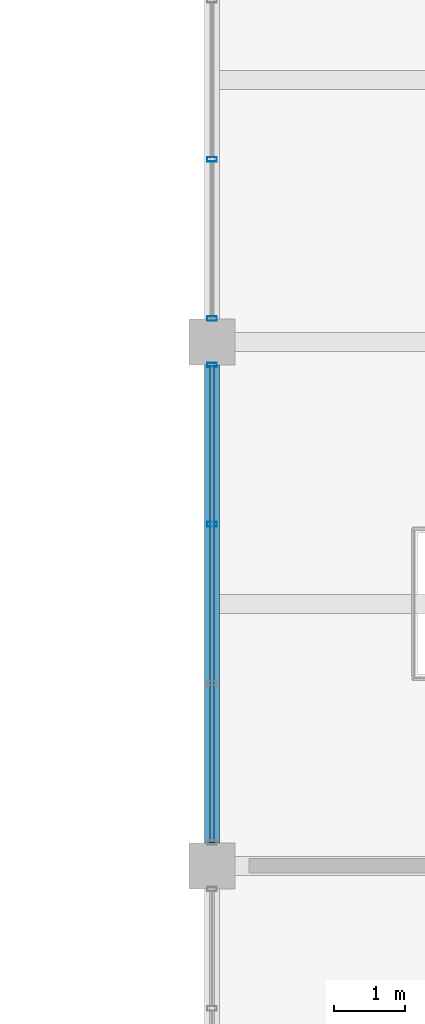
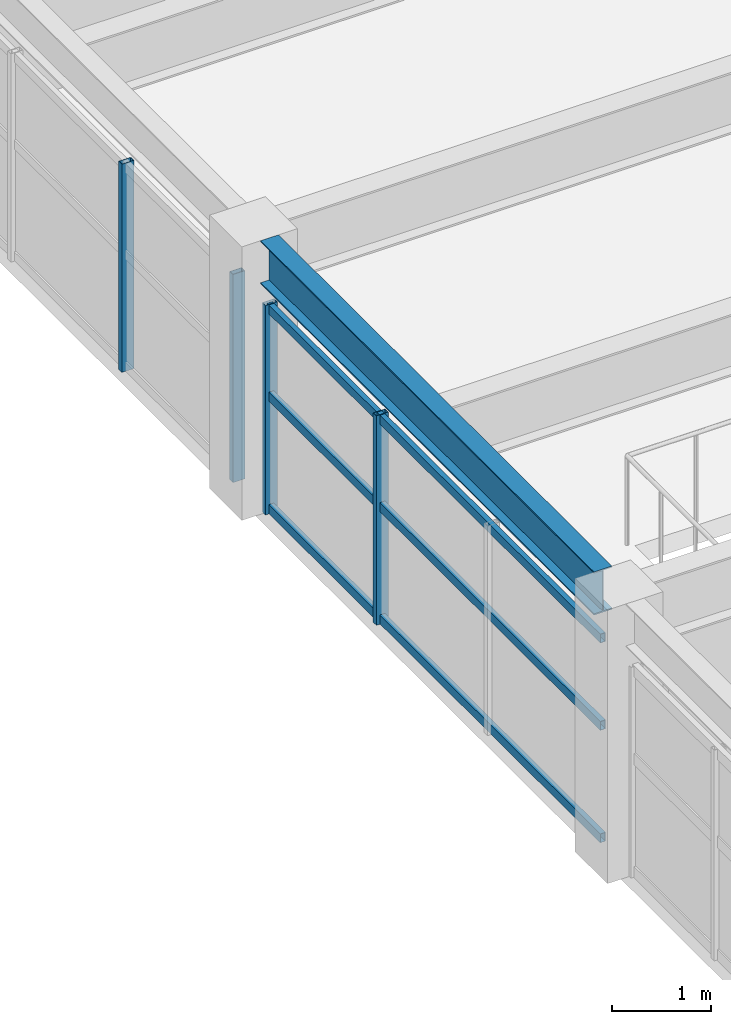
# One storey, part 48 of 93: 7 members, 1 beam, 2 elements without a shape of their own.
"""IFC4 building model written with IfcOpenShell, lengths in metres."""

from ifc_helpers import new_model, si_unit, direction, frame, origin, origin_2d, place, context, subcontext, project, spatial, hollow_rectangle, i_section, extrude, material, material_profile, profile_set, type_object, element, aggregate, save


model = new_model("IFC4")

# Units and contexts
model_context = context("Model", 3, precision=1e-05, world=origin(), true_north=direction((0.0, 1.0)))
body_context = subcontext(model_context, "Body", "Model", "MODEL_VIEW")
ifc_project = project(units=[si_unit("LENGTHUNIT", "METRE"), si_unit("AREAUNIT", "SQUARE_METRE"), si_unit("VOLUMEUNIT", "CUBIC_METRE"), si_unit("PLANEANGLEUNIT", "RADIAN"), si_unit("MASSUNIT", "GRAM", prefix="KILO")], contexts=[model_context])

# Site, building, storey
site_placement = place(None, origin())
site = spatial("IfcSite", under=ifc_project, at=site_placement, CompositionType="ELEMENT")
building_placement = place(site_placement, origin())
building = spatial("IfcBuilding", under=site, at=building_placement, Name="Cimatlan Art Gallery", CompositionType="ELEMENT")
storey_placement = place(building_placement, frame((0.0, 0.0, 13.800048828125)))
storey = spatial("IfcBuildingStorey", under=building, at=storey_placement, Name="L03", CompositionType="ELEMENT", Elevation=13.800048828125)

# Beam
ifc_material_1 = material(Name="Steel ASTM A992 Grade 50", Category="steel")
ifc_material_profile_1 = material_profile(ifc_material_1, i_section(OverallWidth=0.2099609375, OverallDepth=0.532958984375, WebThickness=0.01025390625, FlangeThickness=0.015625, at=origin_2d()), Name="W21X62")
ifc_profile_set_1 = profile_set([ifc_material_profile_1], Name="Steel ASTM A992 Grade 50")
beam_type = type_object("IfcBeamType", Name="BM-STL-W21X62", PredefinedType="BEAM", material=ifc_profile_set_1)
beam_placement = place(storey_placement, frame((74.89990234375, 76.02490234375, 3.113525390625), z_axis=(0.0, 1.0, 0.0), x_axis=(-1.0, 0.0, 0.0)))
element("IfcBeam", 1, at=beam_placement, inside=storey, type_object=beam_type, Name="BM-Y-L03-09-10", PredefinedType="BEAM", context=body_context, shape_type="SweptSolid", body=[
    extrude(i_section(OverallWidth=0.2099609375, OverallDepth=0.532958984375, WebThickness=0.01025390625, FlangeThickness=0.015625, at=origin_2d()), origin(), (0.0, 0.0, 1.0), 6.75),
])

# Curtain wall, members
ifc_material_2 = material(Name="Anodised bronze unitised curtain wall")
curtain_wall_type_1 = type_object("IfcCurtainWallType", Name="CW-V-06742X02588-B3", PredefinedType="NOTDEFINED", material=ifc_material_2)
curtain_wall_1_placement = place(storey_placement, origin())
curtain_wall_1 = element("IfcCurtainWall", 2, at=curtain_wall_1_placement, inside=storey, type_object=curtain_wall_type_1, Name="CW-L03-09-10-W", PredefinedType="NOTDEFINED")
ifc_material_3 = material(Name="Anodised bronze aluminium 6063-T6", Category="aluminium")
ifc_material_profile_2 = material_profile(ifc_material_3, hollow_rectangle(XDim=0.06494140625, YDim=0.139892578125, WallThickness=0.00390625, at=origin_2d()), Name="ALU65X140X4")
ifc_profile_set_2 = profile_set([ifc_material_profile_2], Name="Anodised bronze aluminium 6063-T6")
member_type_1 = type_object("IfcMemberType", Name="CW-MUL-140", PredefinedType="MULLION", material=ifc_profile_set_2)
member_1_placement = place(storey_placement, frame((74.89990234375, 80.523681640625, 0.0), z_axis=(0.0, 0.0, 1.0), x_axis=(0.0, 1.0, 0.0)))
member_1 = element("IfcMember", 3, at=member_1_placement, type_object=member_type_1, Name="CW-L03-09-10-W-M3", PredefinedType="MULLION", context=body_context, shape_type="SweptSolid", body=[
    extrude(hollow_rectangle(XDim=0.06494140625, YDim=0.139892578125, WallThickness=0.00390625, at=origin_2d()), origin(), (0.0, 0.0, 1.0), 2.587890625),
])
member_2_placement = place(storey_placement, frame((74.89990234375, 82.77099609375, 0.0), z_axis=(0.0, 0.0, 1.0), x_axis=(0.0, 1.0, 0.0)))
member_2 = element("IfcMember", 4, at=member_2_placement, type_object=member_type_1, Name="CW-L03-09-10-W-M4", PredefinedType="MULLION", context=body_context, shape_type="SweptSolid", body=[
    extrude(hollow_rectangle(XDim=0.06494140625, YDim=0.139892578125, WallThickness=0.00390625, at=origin_2d()), origin(), (0.0, 0.0, 1.0), 2.587890625),
])

curtain_wall_type_2 = type_object("IfcCurtainWallType", Name="CW-V-06742X02573-B3", PredefinedType="NOTDEFINED", material=ifc_material_2)
curtain_wall_2_placement = place(storey_placement, origin())
curtain_wall_2 = element("IfcCurtainWall", 5, at=curtain_wall_2_placement, inside=storey, type_object=curtain_wall_type_2, Name="CW-L03-09-11-W", PredefinedType="NOTDEFINED")
member_3_placement = place(storey_placement, frame((74.89990234375, 83.428955078125, 0.0), z_axis=(0.0, 0.0, 1.0), x_axis=(0.0, 1.0, 0.0)))
member_3 = element("IfcMember", 6, at=member_3_placement, type_object=member_type_1, Name="CW-L03-09-11-W-M1", PredefinedType="MULLION", context=body_context, shape_type="SweptSolid", body=[
    extrude(hollow_rectangle(XDim=0.06494140625, YDim=0.139892578125, WallThickness=0.00390625, at=origin_2d()), origin(), (0.0, 0.0, 1.0), 2.572998046875),
])
member_4_placement = place(storey_placement, frame((74.89990234375, 85.67626953125, 0.0), z_axis=(0.0, 0.0, 1.0), x_axis=(0.0, 1.0, 0.0)))
member_4 = element("IfcMember", 7, at=member_4_placement, type_object=member_type_1, Name="CW-L03-09-11-W-M2", PredefinedType="MULLION", context=body_context, shape_type="SweptSolid", body=[
    extrude(hollow_rectangle(XDim=0.06494140625, YDim=0.139892578125, WallThickness=0.00390625, at=origin_2d()), origin(), (0.0, 0.0, 1.0), 2.572998046875),
])
aggregate(curtain_wall_2, [member_3, member_4])

# Member
ifc_material_profile_3 = material_profile(ifc_material_3, hollow_rectangle(XDim=0.06005859375, YDim=0.110107421875, WallThickness=0.00341796875, at=origin_2d()), Name="ALU60X110X3")
ifc_profile_set_3 = profile_set([ifc_material_profile_3], Name="Anodised bronze aluminium 6063-T6")
member_type_2 = type_object("IfcMemberType", Name="CW-TRN-110", PredefinedType="USERDEFINED", material=ifc_profile_set_3)
member_5_placement = place(storey_placement, frame((74.89990234375, 76.029052734375, 0.06005859375), z_axis=(0.0, 1.0, 0.0), x_axis=(-1.0, 0.0, 0.0)))
member_5 = element("IfcMember", 8, at=member_5_placement, type_object=member_type_2, Name="CW-L03-09-10-W-T1", ObjectType="TRANSOM", PredefinedType="USERDEFINED", context=body_context, shape_type="SweptSolid", body=[
    extrude(hollow_rectangle(XDim=0.06005859375, YDim=0.110107421875, WallThickness=0.00341796875, at=origin_2d()), origin(), (0.0, 0.0, 1.0), 6.741943359375),
])

member_6_placement = place(storey_placement, frame((74.89990234375, 76.029052734375, 1.44921875), z_axis=(0.0, 1.0, 0.0), x_axis=(-1.0, 0.0, 0.0)))
member_6 = element("IfcMember", 9, at=member_6_placement, type_object=member_type_2, Name="CW-L03-09-10-W-T2", ObjectType="TRANSOM", PredefinedType="USERDEFINED", context=body_context, shape_type="SweptSolid", body=[
    extrude(hollow_rectangle(XDim=0.06005859375, YDim=0.110107421875, WallThickness=0.00341796875, at=origin_2d()), origin(), (0.0, 0.0, 1.0), 6.741943359375),
])

member_7_placement = place(storey_placement, frame((74.89990234375, 76.029052734375, 2.52783203125), z_axis=(0.0, 1.0, 0.0), x_axis=(-1.0, 0.0, 0.0)))
member_7 = element("IfcMember", 10, at=member_7_placement, type_object=member_type_2, Name="CW-L03-09-10-W-T3", ObjectType="TRANSOM", PredefinedType="USERDEFINED", context=body_context, shape_type="SweptSolid", body=[
    extrude(hollow_rectangle(XDim=0.06005859375, YDim=0.110107421875, WallThickness=0.00341796875, at=origin_2d()), origin(), (0.0, 0.0, 1.0), 6.741943359375),
])

aggregate(curtain_wall_1, [member_1, member_2, member_5, member_6, member_7])

save(model, "model.ifc")
